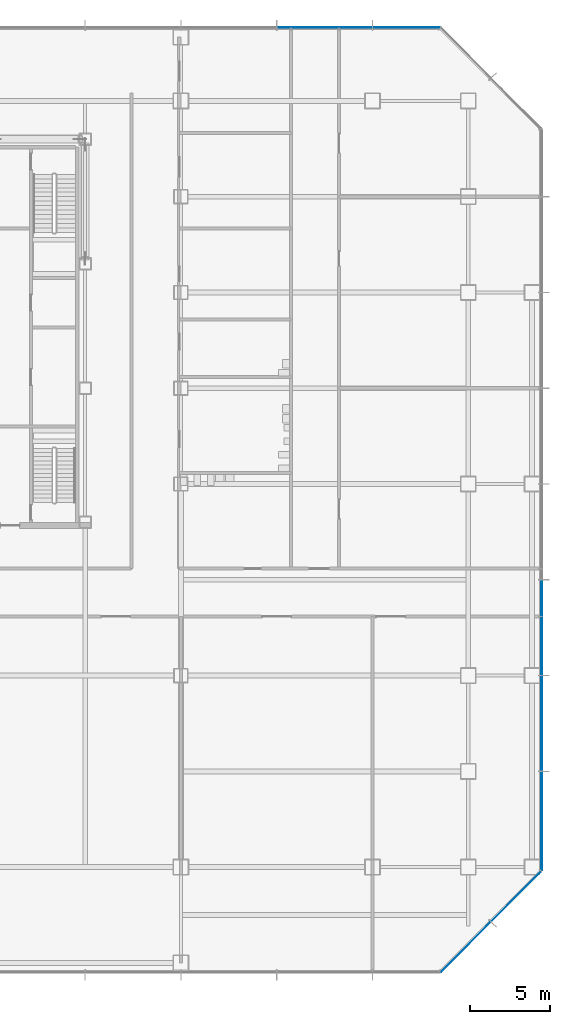
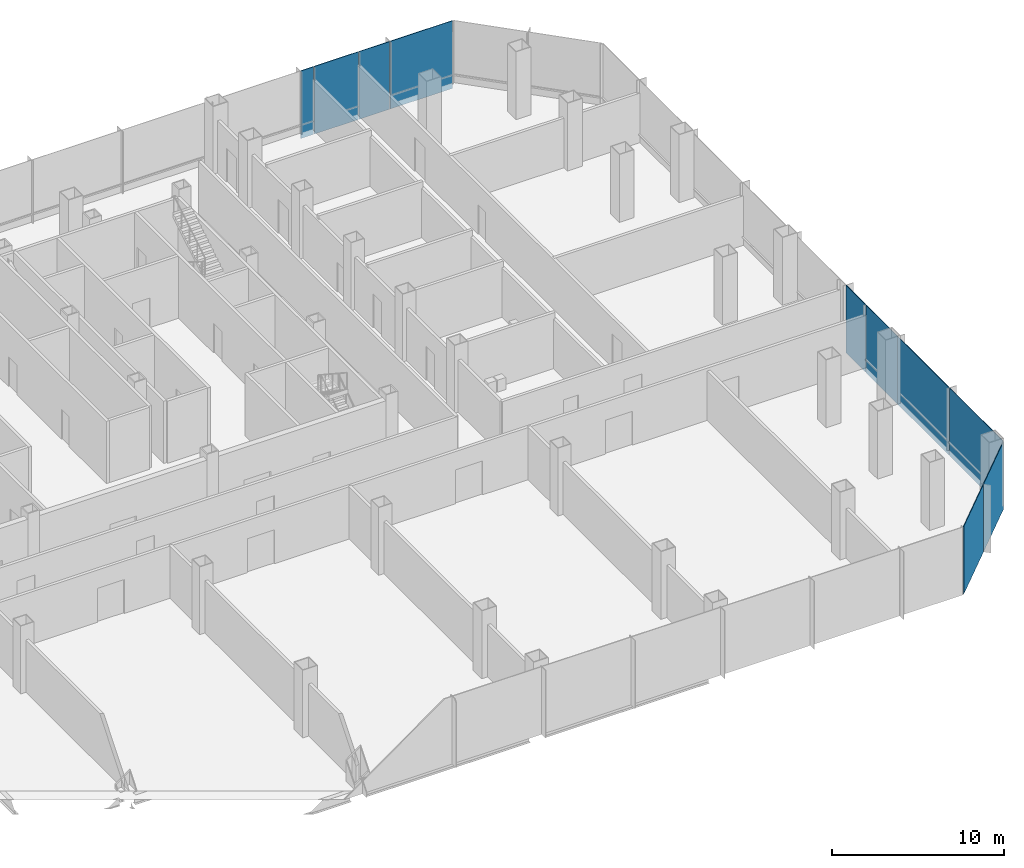
# One storey, part 21 of 33: 10 plates, 3 elements without a shape of their own.
"""IFC4 building model written with IfcOpenShell, lengths in metres."""

from ifc_helpers import new_model, si_unit, direction, frame, origin, origin_2d, place, context, subcontext, project, spatial, rectangle, extrude, material, layer, layer_set, type_object, element, aggregate, save


model = new_model("IFC4")

# Units and contexts
model_context = context("Model", 3, precision=1e-05, world=origin(), true_north=direction((0.0, 1.0)))
body_context = subcontext(model_context, "Body", "Model", "MODEL_VIEW")
ifc_project = project(units=[si_unit("LENGTHUNIT", "METRE"), si_unit("AREAUNIT", "SQUARE_METRE"), si_unit("VOLUMEUNIT", "CUBIC_METRE"), si_unit("PLANEANGLEUNIT", "RADIAN"), si_unit("MASSUNIT", "GRAM", prefix="KILO")], contexts=[model_context])

# Site, building, storey
site_placement = place(None, origin())
site = spatial("IfcSite", under=ifc_project, at=site_placement, CompositionType="ELEMENT")
building_placement = place(site_placement, origin())
building = spatial("IfcBuilding", under=site, at=building_placement, Name="Sorahane Residences", CompositionType="ELEMENT")
storey_placement = place(building_placement, frame((0.0, 0.0, 30.0)))
storey = spatial("IfcBuildingStorey", under=building, at=storey_placement, Name="L04", CompositionType="ELEMENT", Elevation=30.0)

# Curtain wall, plates
ifc_material_1 = material(Name="Dark low-e glass and black anodised aluminium", Category="aluminium")
curtain_wall_type = type_object("IfcCurtainWallType", Name="Curtain wall CW-3 Podium unitised wall", PredefinedType="NOTDEFINED", material=ifc_material_1)
curtain_wall_1_placement = place(storey_placement, origin())
curtain_wall_1 = element("IfcCurtainWall", 1, at=curtain_wall_1_placement, inside=storey, type_object=curtain_wall_type, Name="CW-3 curtain wall L04 SE1", PredefinedType="NOTDEFINED")
ifc_material_2 = material(Name="Dark low-e glass with black ceramic frit", Category="glass")
ifc_layer = layer(ifc_material_2, 0.0400390625)
ifc_layer_set = layer_set([ifc_layer], Name="Curtain wall glass panel dark low-e podium with black frit spandrel band")
plate_type = type_object("IfcPlateType", Name="Curtain wall glass panel dark low-e podium with black frit spandrel band", PredefinedType="CURTAIN_PANEL", material=ifc_layer_set)
plate_1_placement = place(storey_placement, frame((65.84521484375, -5.003173828125, -0.39990234375), z_axis=(0.0, 0.0, 1.0), x_axis=(0.707106781187, 0.707106781187, 0.0)))
plate_1 = element("IfcPlate", 2, at=plate_1_placement, type_object=plate_type, Name="CW-3 glass panel L04 SE1.1", PredefinedType="CURTAIN_PANEL", context=body_context, shape_type="SweptSolid", body=[
    extrude(rectangle(XDim=4.416259765625, YDim=0.0400390625, at=origin_2d()), origin(), (0.0, 0.0, 1.0), 4.800048828125),
])
plate_2_placement = place(storey_placement, frame((69.003173828125, -1.84521484375, -0.39990234375), z_axis=(0.0, 0.0, 1.0), x_axis=(0.707106781187, 0.707106781187, 0.0)))
plate_2 = element("IfcPlate", 3, at=plate_2_placement, type_object=plate_type, Name="CW-3 glass panel L04 SE1.2", PredefinedType="CURTAIN_PANEL", context=body_context, shape_type="SweptSolid", body=[
    extrude(rectangle(XDim=4.416259765625, YDim=0.0400390625, at=origin_2d()), origin(), (0.0, 0.0, 1.0), 4.800048828125),
])
aggregate(curtain_wall_1, [plate_1, plate_2])

curtain_wall_2_placement = place(storey_placement, origin())
curtain_wall_2 = element("IfcCurtainWall", 4, at=curtain_wall_2_placement, inside=storey, type_object=curtain_wall_type, Name="CW-3 curtain wall L04 E1", PredefinedType="NOTDEFINED")
plate_3_placement = place(storey_placement, frame((70.60009765625, 2.88818359375, -0.39990234375), z_axis=(0.0, 0.0, 1.0), x_axis=(0.0, 1.0, 0.0)))
plate_3 = element("IfcPlate", 5, at=plate_3_placement, type_object=plate_type, Name="CW-3 glass panel L04 E1.1", PredefinedType="CURTAIN_PANEL", context=body_context, shape_type="SweptSolid", body=[
    extrude(rectangle(XDim=6.173583984375, YDim=0.0400390625, at=origin_2d()), origin(), (0.0, 0.0, 1.0), 4.800048828125),
])
plate_4_placement = place(storey_placement, frame((70.60009765625, 9.0, -0.39990234375), z_axis=(0.0, 0.0, 1.0), x_axis=(0.0, 1.0, 0.0)))
plate_4 = element("IfcPlate", 6, at=plate_4_placement, type_object=plate_type, Name="CW-3 glass panel L04 E1.2", PredefinedType="CURTAIN_PANEL", context=body_context, shape_type="SweptSolid", body=[
    extrude(rectangle(XDim=5.949951171875, YDim=0.0400390625, at=origin_2d()), origin(), (0.0, 0.0, 1.0), 4.800048828125),
])
plate_5_placement = place(storey_placement, frame((70.60009765625, 13.85009765625, -0.39990234375), z_axis=(0.0, 0.0, 1.0), x_axis=(0.0, 1.0, 0.0)))
plate_5 = element("IfcPlate", 7, at=plate_5_placement, type_object=plate_type, Name="CW-3 glass panel L04 E1.3", PredefinedType="CURTAIN_PANEL", context=body_context, shape_type="SweptSolid", body=[
    extrude(rectangle(XDim=3.64990234375, YDim=0.0400390625, at=origin_2d()), origin(), (0.0, 0.0, 1.0), 4.800048828125),
])
plate_6_placement = place(storey_placement, frame((70.60009765625, 16.85009765625, -0.39990234375), z_axis=(0.0, 0.0, 1.0), x_axis=(0.0, 1.0, 0.0)))
plate_6 = element("IfcPlate", 8, at=plate_6_placement, type_object=plate_type, Name="CW-3 glass panel L04 E1.4", PredefinedType="CURTAIN_PANEL", context=body_context, shape_type="SweptSolid", body=[
    extrude(rectangle(XDim=2.25, YDim=0.0400390625, at=origin_2d()), origin(), (0.0, 0.0, 1.0), 4.800048828125),
])
aggregate(curtain_wall_2, [plate_3, plate_4, plate_5, plate_6])

curtain_wall_3_placement = place(storey_placement, origin())
curtain_wall_3 = element("IfcCurtainWall", 9, at=curtain_wall_3_placement, inside=storey, type_object=curtain_wall_type, Name="CW-3 curtain wall L04 N1", PredefinedType="NOTDEFINED")
plate_7_placement = place(storey_placement, frame((62.11181640625, 52.60009765625, -0.39990234375), z_axis=(0.0, 0.0, 1.0), x_axis=(-1.0, 0.0, 0.0)))
plate_7 = element("IfcPlate", 10, at=plate_7_placement, type_object=plate_type, Name="CW-3 glass panel L04 N1.1", PredefinedType="CURTAIN_PANEL", context=body_context, shape_type="SweptSolid", body=[
    extrude(rectangle(XDim=4.173583984375, YDim=0.0400390625, at=origin_2d()), origin(), (0.0, 0.0, 1.0), 4.800048828125),
])
plate_8_placement = place(storey_placement, frame((58.949951171875, 52.60009765625, -0.39990234375), z_axis=(0.0, 0.0, 1.0), x_axis=(-1.0, 0.0, 0.0)))
plate_8 = element("IfcPlate", 11, at=plate_8_placement, type_object=plate_type, Name="CW-3 glass panel L04 N1.2", PredefinedType="CURTAIN_PANEL", context=body_context, shape_type="SweptSolid", body=[
    extrude(rectangle(XDim=2.050048828125, YDim=0.0400390625, at=origin_2d()), origin(), (0.0, 0.0, 1.0), 4.800048828125),
])
plate_9_placement = place(storey_placement, frame((56.39990234375, 52.60009765625, -0.39990234375), z_axis=(0.0, 0.0, 1.0), x_axis=(-1.0, 0.0, 0.0)))
plate_9 = element("IfcPlate", 12, at=plate_9_placement, type_object=plate_type, Name="CW-3 glass panel L04 N1.3", PredefinedType="CURTAIN_PANEL", context=body_context, shape_type="SweptSolid", body=[
    extrude(rectangle(XDim=2.949951171875, YDim=0.0400390625, at=origin_2d()), origin(), (0.0, 0.0, 1.0), 4.800048828125),
])
plate_10_placement = place(storey_placement, frame((54.449951171875, 52.60009765625, -0.39990234375), z_axis=(0.0, 0.0, 1.0), x_axis=(-1.0, 0.0, 0.0)))
plate_10 = element("IfcPlate", 13, at=plate_10_placement, type_object=plate_type, Name="CW-3 glass panel L04 N1.4", PredefinedType="CURTAIN_PANEL", context=body_context, shape_type="SweptSolid", body=[
    extrude(rectangle(XDim=0.85009765625, YDim=0.0400390625, at=origin_2d()), origin(), (0.0, 0.0, 1.0), 4.800048828125),
])
aggregate(curtain_wall_3, [plate_7, plate_8, plate_9, plate_10])

save(model, "model.ifc")
